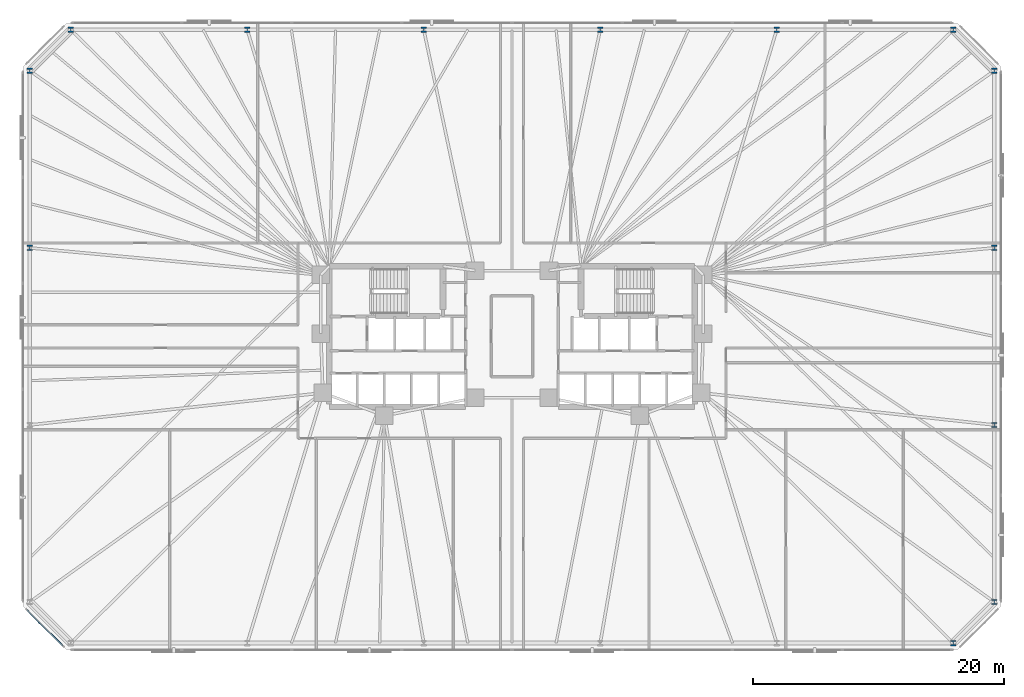
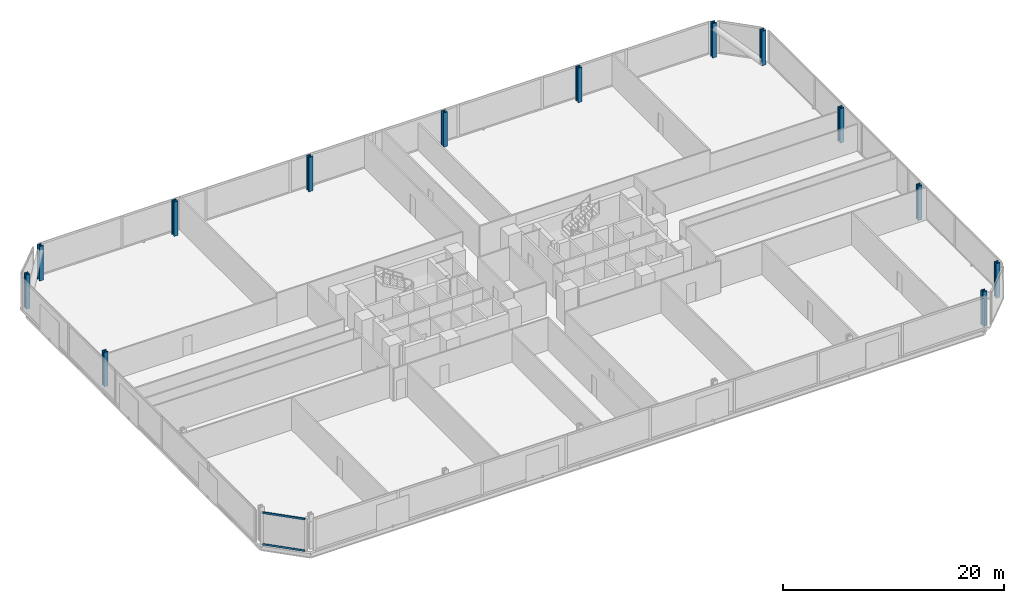
# One storey, part 5 of 17: 13 columns, 2 members, 1 element without a shape of its own.
"""IFC4 building model written with IfcOpenShell, lengths in metres."""

from ifc_helpers import new_model, si_unit, direction, frame, origin, origin_2d, place, context, subcontext, project, spatial, rectangle, i_section, extrude, material, material_profile, profile_set, type_object, element, aggregate, save


model = new_model("IFC4")

# Units and contexts
model_context = context("Model", 3, precision=1e-05, world=origin(), true_north=direction((0.0, 1.0)))
body_context = subcontext(model_context, "Body", "Model", "MODEL_VIEW")
ifc_project = project(units=[si_unit("LENGTHUNIT", "METRE"), si_unit("AREAUNIT", "SQUARE_METRE"), si_unit("VOLUMEUNIT", "CUBIC_METRE"), si_unit("PLANEANGLEUNIT", "RADIAN"), si_unit("MASSUNIT", "GRAM", prefix="KILO")], contexts=[model_context])

# Site, building, storey
site_placement = place(None, origin())
site = spatial("IfcSite", under=ifc_project, at=site_placement, CompositionType="ELEMENT")
building_placement = place(site_placement, origin())
building = spatial("IfcBuilding", under=site, at=building_placement, Name="Menara Jurai Vektor", CompositionType="ELEMENT")
storey_placement = place(building_placement, frame((0.0, 0.0, 29.39990234375)))
storey = spatial("IfcBuildingStorey", under=building, at=storey_placement, Name="L06", CompositionType="ELEMENT", Elevation=29.39990234375)

# Columns
ifc_material_1 = material(Name="Steel S460", Category="steel")
ifc_material_profile_1 = material_profile(ifc_material_1, i_section(OverallWidth=0.419921875, OverallDepth=0.430908203125, WebThickness=0.06494140625, FlangeThickness=0.10595703125, FilletRadius=0.014892578125, at=origin_2d()), Name="HD 400x900")
ifc_profile_set_1 = profile_set([ifc_material_profile_1], Name="Steel S460")
column_type = type_object("IfcColumnType", Name="STR-EXO-BLK1", PredefinedType="COLUMN", material=ifc_profile_set_1)
for number, where, z_axis, x_axis, name in (
    (1, (35.177734375, -24.449951171875, 0.0), (0.0, 0.0, 1.0), (1.0, 0.0, 0.0), "Exoskeleton Column BLK1-S6 L06"),
    (2, (38.449951171875, -21.177734375, 0.0), (0.0, 0.0, 1.0), (1.0, 0.0, 0.0), "Exoskeleton Column BLK1-E1 L06"),
    (3, (38.449951171875, -7.059326171875, 0.0), (0.0, 0.0, 1.0), (1.0, 0.0, 0.0), "Exoskeleton Column BLK1-E2 L06"),
    (4, (38.449951171875, 7.059326171875, 0.0), (0.0, 0.0, 1.0), (1.0, 0.0, 0.0), "Exoskeleton Column BLK1-E3 L06"),
    (5, (38.449951171875, 21.177734375, 0.0), (0.0, 0.0, 1.0), (1.0, 0.0, 0.0), "Exoskeleton Column BLK1-E4 L06"),
    (6, (35.177734375, 24.449951171875, 0.0), (0.0, 0.0, 1.0), (1.0, 0.0, 0.0), "Exoskeleton Column BLK1-N1 L06"),
    (7, (21.106689453125, 24.449951171875, 0.0), (0.0, 0.0, 1.0), (1.0, 0.0, 0.0), "Exoskeleton Column BLK1-N2 L06"),
    (8, (7.03564453125, 24.449951171875, 0.0), (0.0, 0.0, 1.0), (1.0, 0.0, 0.0), "Exoskeleton Column BLK1-N3 L06"),
    (9, (-7.03564453125, 24.449951171875, 0.0), (0.0, 0.0, 1.0), (1.0, 0.0, 0.0), "Exoskeleton Column BLK1-N4 L06"),
    (10, (-21.106689453125, 24.449951171875, 0.0), (0.0, 0.0, 1.0), (1.0, 0.0, 0.0), "Exoskeleton Column BLK1-N5 L06"),
    (11, (-35.177734375, 24.449951171875, 0.0), (0.0, 0.0, 1.0), (1.0, 0.0, 0.0), "Exoskeleton Column BLK1-N6 L06"),
    (12, (-38.449951171875, 21.177734375, 0.0), (0.0, 0.0, 1.0), (1.0, 0.0, 0.0), "Exoskeleton Column BLK1-W1 L06"),
    (13, (-38.449951171875, 7.059326171875, 0.0), (0.0, 0.0, 1.0), (1.0, 0.0, 0.0), "Exoskeleton Column BLK1-W2 L06"),
):
    element("IfcColumn", number, at=place(storey_placement, frame(where, z_axis=z_axis, x_axis=x_axis)), inside=storey, type_object=column_type, Name=name, PredefinedType="COLUMN", context=body_context, shape_type="SweptSolid", body=[
        extrude(i_section(OverallWidth=0.419921875, OverallDepth=0.430908203125, WebThickness=0.06494140625, FlangeThickness=0.10595703125, FilletRadius=0.014892578125, at=origin_2d()), origin(), (0.0, 0.0, 1.0), 3.800048828125),
    ])

# Curtain wall, members
ifc_material_2 = material(Name="Anodised Pale Aluminium & Low-E Double Glazing", Category="aluminium")
curtain_wall_type = type_object("IfcCurtainWallType", Name="CW-BLK1", PredefinedType="NOTDEFINED", material=ifc_material_2)
curtain_wall_placement = place(storey_placement, origin())
curtain_wall = element("IfcCurtainWall", 14, at=curtain_wall_placement, inside=storey, type_object=curtain_wall_type, Name="Unitised Curtain Wall L06 F08", PredefinedType="NOTDEFINED")
ifc_material_3 = material(Name="Anodised Pale Aluminium Transom", Category="aluminium")
ifc_material_profile_2 = material_profile(ifc_material_3, rectangle(XDim=0.094970703125, YDim=0.199951171875, at=origin_2d()), Name="ALU TRN 95x200")
ifc_profile_set_2 = profile_set([ifc_material_profile_2], Name="Anodised Pale Aluminium Transom")
member_type = type_object("IfcMemberType", Name="CW-BLK1-TRN", PredefinedType="USERDEFINED", material=ifc_profile_set_2)
member_1_placement = place(storey_placement, frame((-38.6640625, -21.8359375, 0.047607421875), z_axis=(0.707106781187, -0.707106781187, 0.0), x_axis=(0.707106781187, 0.707106781187, 0.0)))
member_1 = element("IfcMember", 15, at=member_1_placement, type_object=member_type, Name="CW-01 transom 1.1", ObjectType="TRANSOM", PredefinedType="USERDEFINED", context=body_context, shape_type="SweptSolid", body=[
    extrude(rectangle(XDim=0.094970703125, YDim=0.199951171875, at=origin_2d()), origin(), (0.0, 0.0, 1.0), 3.99951171875),
])
member_2_placement = place(storey_placement, frame((-38.6640625, -21.8359375, 3.527587890625), z_axis=(0.707106781187, -0.707106781187, 0.0), x_axis=(0.707106781187, 0.707106781187, 0.0)))
member_2 = element("IfcMember", 16, at=member_2_placement, type_object=member_type, Name="CW-01 transom 1.2", ObjectType="TRANSOM", PredefinedType="USERDEFINED", context=body_context, shape_type="SweptSolid", body=[
    extrude(rectangle(XDim=0.094970703125, YDim=0.199951171875, at=origin_2d()), origin(), (0.0, 0.0, 1.0), 3.99951171875),
])
aggregate(curtain_wall, [member_1, member_2])

save(model, "model.ifc")
